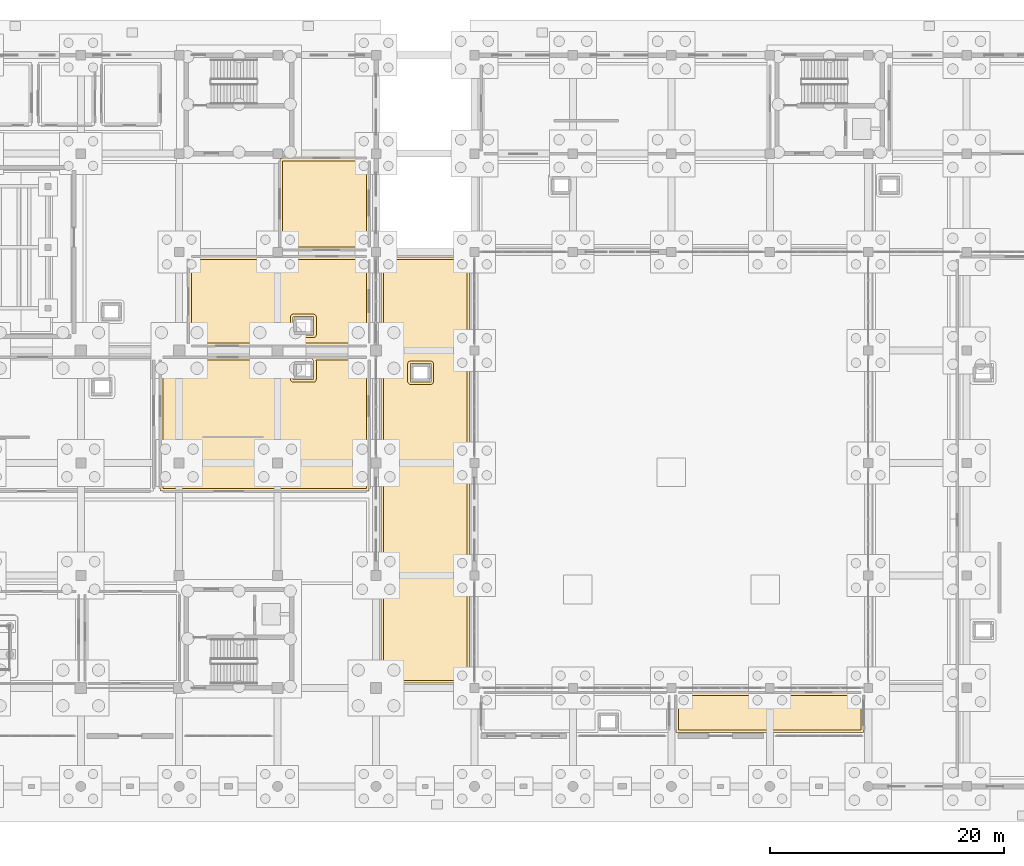
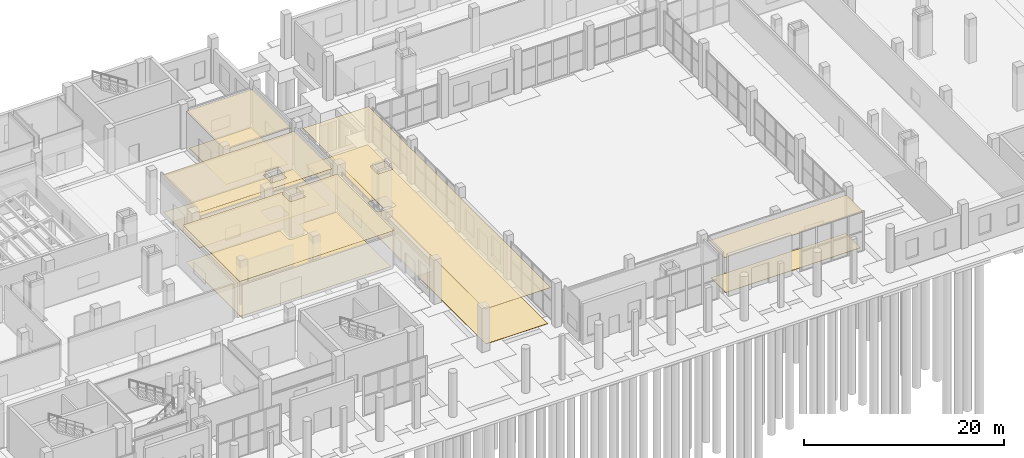
# One storey, part 56 of 65: 10 coverings.
"""IFC4 building model written with IfcOpenShell, lengths in metres."""

from ifc_helpers import new_model, si_unit, direction, frame, origin, place, context, subcontext, project, spatial, polyline, outline, extrude, material, layer, layer_set, type_object, element, save


model = new_model("IFC4")

# Units and contexts
model_context = context("Model", 3, precision=1e-05, world=origin(), true_north=direction((0.0, 1.0)))
body_context = subcontext(model_context, "Body", "Model", "MODEL_VIEW")
ifc_project = project(units=[si_unit("LENGTHUNIT", "METRE"), si_unit("AREAUNIT", "SQUARE_METRE"), si_unit("VOLUMEUNIT", "CUBIC_METRE"), si_unit("PLANEANGLEUNIT", "RADIAN"), si_unit("MASSUNIT", "GRAM", prefix="KILO")], contexts=[model_context])

# Site, building, storey
site_placement = place(None, origin())
site = spatial("IfcSite", under=ifc_project, at=site_placement, CompositionType="ELEMENT")
building_placement = place(site_placement, origin())
building = spatial("IfcBuilding", under=site, at=building_placement, Name="Zulmaris Art Gallery", CompositionType="ELEMENT")
storey_placement = place(building_placement, origin())
storey = spatial("IfcBuildingStorey", under=building, at=storey_placement, Name="L00", CompositionType="ELEMENT", Elevation=0.0)

# Coverings
ifc_material_1 = material(Name="Micro-Perforated Gypsum Acoustic Ceiling", Category="gypsum")
ifc_layer_1 = layer(ifc_material_1, 0.02490234375)
ifc_layer_set_1 = layer_set([ifc_layer_1], Name="Micro-Perforated Gypsum Acoustic Ceiling")
covering_type_1 = type_object("IfcCoveringType", Name="COV-CL01", PredefinedType="CEILING", material=ifc_layer_set_1)
covering_1_placement = place(storey_placement, frame((0.0, 0.0, 4.449951171875)))
element("IfcCovering", 1, at=covering_1_placement, inside=storey, type_object=covering_type_1, Name="Youth Art Learning Workshop acoustic ceiling", PredefinedType="CEILING", context=body_context, shape_type="SweptSolid", body=[
    extrude(outline(polyline([(66.81005859375, 58.389892578125), (82.18994140625, 58.389892578125), (82.18994140625, 50.81005859375), (66.81005859375, 50.81005859375), (66.81005859375, 58.389892578125)]), holes=[polyline([(75.741455078125, 53.278564453125), (75.738525390625, 53.277587890625), (75.736083984375, 53.276123046875), (75.7333984375, 53.274658203125), (75.731201171875, 53.27294921875), (75.72900390625, 53.27099609375), (75.72705078125, 53.268798828125), (75.725341796875, 53.2666015625), (75.723876953125, 53.263916015625), (75.722412109375, 53.261474609375), (75.721435546875, 53.258544921875), (75.720703125, 53.255859375), (75.720458984375, 53.2529296875), (75.719970703125, 53.24462890625), (75.719970703125, 51.75537109375), (75.720458984375, 51.7470703125), (75.720703125, 51.744140625), (75.721435546875, 51.741455078125), (75.722412109375, 51.738525390625), (75.723876953125, 51.736083984375), (75.725341796875, 51.7333984375), (75.72705078125, 51.731201171875), (75.72900390625, 51.72900390625), (75.731201171875, 51.72705078125), (75.7333984375, 51.725341796875), (75.736083984375, 51.723876953125), (75.738525390625, 51.722412109375), (75.741455078125, 51.721435546875), (75.744140625, 51.720703125), (75.7470703125, 51.720458984375), (75.75537109375, 51.719970703125), (77.444580078125, 51.719970703125), (77.452880859375, 51.720458984375), (77.455810546875, 51.720703125), (77.45849609375, 51.721435546875), (77.46142578125, 51.722412109375), (77.464111328125, 51.723876953125), (77.466552734375, 51.725341796875), (77.468994140625, 51.72705078125), (77.470947265625, 51.72900390625), (77.472900390625, 51.731201171875), (77.474609375, 51.7333984375), (77.476318359375, 51.736083984375), (77.4775390625, 51.738525390625), (77.478515625, 51.741455078125), (77.479248046875, 51.744140625), (77.4794921875, 51.7470703125), (77.47998046875, 51.75537109375), (77.47998046875, 53.24462890625), (77.4794921875, 53.2529296875), (77.479248046875, 53.255859375), (77.478515625, 53.258544921875), (77.4775390625, 53.261474609375), (77.476318359375, 53.263916015625), (77.474609375, 53.2666015625), (77.472900390625, 53.268798828125), (77.470947265625, 53.27099609375), (77.468994140625, 53.27294921875), (77.466552734375, 53.274658203125), (77.464111328125, 53.276123046875), (77.46142578125, 53.277587890625), (77.45849609375, 53.278564453125), (77.455810546875, 53.279296875), (77.452880859375, 53.279541015625), (77.444580078125, 53.280029296875), (75.75537109375, 53.280029296875), (75.7470703125, 53.279541015625), (75.744140625, 53.279296875), (75.741455078125, 53.278564453125)])]), origin(), (0.0, 0.0, 1.0), 0.030029296875),
])
covering_2_placement = place(storey_placement, frame((0.0, 0.0, 4.449951171875)))
element("IfcCovering", 2, at=covering_2_placement, inside=storey, type_object=covering_type_1, Name="Community Ceramics & Print Studio acoustic ceiling", PredefinedType="CEILING", context=body_context, shape_type="SweptSolid", body=[
    extrude(outline(polyline([(74.610107421875, 66.7900390625), (82.18994140625, 66.7900390625), (82.18994140625, 59.010009765625), (74.610107421875, 59.010009765625), (74.610107421875, 66.7900390625)])), origin(), (0.0, 0.0, 1.0), 0.030029296875),
])
ifc_material_2 = material(Name="Luminous UV-Diffusing Stretched Gallery Ceiling", Category="gypsum")
ifc_layer_2 = layer(ifc_material_2, 0.034912109375)
ifc_layer_set_2 = layer_set([ifc_layer_2], Name="Luminous UV-Diffusing Stretched Gallery Ceiling")
covering_type_2 = type_object("IfcCoveringType", Name="COV-CL02", PredefinedType="CEILING", material=ifc_layer_set_2)
covering_3_placement = place(storey_placement, frame((0.0, 0.0, 4.449951171875)))
element("IfcCovering", 3, at=covering_3_placement, inside=storey, type_object=covering_type_2, Name="Sculpture Court Pavilion Gallery acoustic ceiling", PredefinedType="CEILING", context=body_context, shape_type="SweptSolid", body=[
    extrude(outline(polyline([(83.2099609375, 58.389892578125), (90.7900390625, 58.389892578125), (90.7900390625, 22.010009765625), (83.2099609375, 22.010009765625), (83.2099609375, 58.389892578125)]), holes=[polyline([(85.741455078125, 49.278564453125), (85.738525390625, 49.277587890625), (85.736083984375, 49.276123046875), (85.7333984375, 49.274658203125), (85.731201171875, 49.27294921875), (85.72900390625, 49.27099609375), (85.72705078125, 49.268798828125), (85.725341796875, 49.2666015625), (85.723876953125, 49.263916015625), (85.722412109375, 49.261474609375), (85.721435546875, 49.258544921875), (85.720703125, 49.255859375), (85.720458984375, 49.2529296875), (85.719970703125, 49.24462890625), (85.719970703125, 47.75537109375), (85.720458984375, 47.7470703125), (85.720703125, 47.744140625), (85.721435546875, 47.741455078125), (85.722412109375, 47.738525390625), (85.723876953125, 47.736083984375), (85.725341796875, 47.7333984375), (85.72705078125, 47.731201171875), (85.72900390625, 47.72900390625), (85.731201171875, 47.72705078125), (85.7333984375, 47.725341796875), (85.736083984375, 47.723876953125), (85.738525390625, 47.722412109375), (85.741455078125, 47.721435546875), (85.744140625, 47.720703125), (85.7470703125, 47.720458984375), (85.75537109375, 47.719970703125), (87.444580078125, 47.719970703125), (87.452880859375, 47.720458984375), (87.455810546875, 47.720703125), (87.45849609375, 47.721435546875), (87.46142578125, 47.722412109375), (87.464111328125, 47.723876953125), (87.466552734375, 47.725341796875), (87.468994140625, 47.72705078125), (87.470947265625, 47.72900390625), (87.472900390625, 47.731201171875), (87.474609375, 47.7333984375), (87.476318359375, 47.736083984375), (87.4775390625, 47.738525390625), (87.478515625, 47.741455078125), (87.479248046875, 47.744140625), (87.4794921875, 47.7470703125), (87.47998046875, 47.75537109375), (87.47998046875, 49.24462890625), (87.4794921875, 49.2529296875), (87.479248046875, 49.255859375), (87.478515625, 49.258544921875), (87.4775390625, 49.261474609375), (87.476318359375, 49.263916015625), (87.474609375, 49.2666015625), (87.472900390625, 49.268798828125), (87.470947265625, 49.27099609375), (87.468994140625, 49.27294921875), (87.466552734375, 49.274658203125), (87.464111328125, 49.276123046875), (87.46142578125, 49.277587890625), (87.45849609375, 49.278564453125), (87.455810546875, 49.279296875), (87.452880859375, 49.279541015625), (87.444580078125, 49.280029296875), (85.75537109375, 49.280029296875), (85.7470703125, 49.279541015625), (85.744140625, 49.279296875), (85.741455078125, 49.278564453125)])]), origin(), (0.0, 0.0, 1.0), 0.030029296875),
])
covering_4_placement = place(storey_placement, frame((0.0, 0.0, 4.449951171875)))
element("IfcCovering", 4, at=covering_4_placement, inside=storey, type_object=covering_type_2, Name="Sculpture Court South Cloister acoustic ceiling", PredefinedType="CEILING", context=body_context, shape_type="SweptSolid", body=[
    extrude(outline(polyline([(108.409912109375, 21.18994140625), (124.389892578125, 21.18994140625), (124.389892578125, 17.81005859375), (108.409912109375, 17.81005859375), (108.409912109375, 21.18994140625)])), origin(), (0.0, 0.0, 1.0), 0.030029296875),
])
covering_5_placement = place(storey_placement, frame((0.0, 0.0, 4.449951171875)))
element("IfcCovering", 5, at=covering_5_placement, inside=storey, type_object=covering_type_2, Name="Introductory Exhibition Gallery acoustic ceiling", PredefinedType="CEILING", context=body_context, shape_type="SweptSolid", body=[
    extrude(outline(polyline([(75.721435546875, 49.45849609375), (75.720703125, 49.455810546875), (75.720458984375, 49.452880859375), (75.719970703125, 49.444580078125), (75.719970703125, 47.955322265625), (75.720458984375, 47.947021484375), (75.720703125, 47.944091796875), (75.721435546875, 47.94140625), (75.722412109375, 47.938720703125), (75.723876953125, 47.93603515625), (75.725341796875, 47.93359375), (75.72705078125, 47.93115234375), (75.72900390625, 47.928955078125), (75.731201171875, 47.927001953125), (75.7333984375, 47.92529296875), (75.736083984375, 47.923828125), (75.738525390625, 47.922607421875), (75.741455078125, 47.92138671875), (75.744140625, 47.9208984375), (75.7470703125, 47.92041015625), (75.75537109375, 47.919921875), (77.444580078125, 47.919921875), (77.452880859375, 47.92041015625), (77.455810546875, 47.9208984375), (77.45849609375, 47.92138671875), (77.46142578125, 47.922607421875), (77.464111328125, 47.923828125), (77.466552734375, 47.92529296875), (77.468994140625, 47.927001953125), (77.470947265625, 47.928955078125), (77.472900390625, 47.93115234375), (77.474609375, 47.93359375), (77.476318359375, 47.93603515625), (77.4775390625, 47.938720703125), (77.478515625, 47.94140625), (77.479248046875, 47.944091796875), (77.4794921875, 47.947021484375), (77.47998046875, 47.955322265625), (77.47998046875, 49.444580078125), (77.4794921875, 49.452880859375), (77.479248046875, 49.455810546875), (77.478515625, 49.45849609375), (77.4775390625, 49.46142578125), (77.476318359375, 49.464111328125), (77.28076171875, 49.7900390625), (82.18994140625, 49.7900390625), (82.18994140625, 38.409912109375), (64.409912109375, 38.409912109375), (64.409912109375, 49.7900390625), (75.919189453125, 49.7900390625), (75.723876953125, 49.464111328125), (75.722412109375, 49.46142578125), (75.721435546875, 49.45849609375)])), origin(), (0.0, 0.0, 1.0), 0.030029296875),
])
ifc_material_3 = material(Name="Honed Omani Limestone Terrazzo Flooring", Category="masonry")
ifc_layer_3 = layer(ifc_material_3, 0.0400390625)
ifc_layer_set_3 = layer_set([ifc_layer_3], Name="Honed Omani Limestone Terrazzo Flooring")
covering_type_3 = type_object("IfcCoveringType", Name="COV-FL01", PredefinedType="FLOORING", material=ifc_layer_set_3)
covering_6_placement = place(storey_placement, origin())
element("IfcCovering", 6, at=covering_6_placement, inside=storey, type_object=covering_type_3, Name="Youth Art Learning Workshop finish flooring", PredefinedType="FLOORING", context=body_context, shape_type="SweptSolid", body=[
    extrude(outline(polyline([(81.969970703125, 51.030029296875), (67.030029296875, 51.030029296875), (67.030029296875, 58.169921875), (81.969970703125, 58.169921875), (81.969970703125, 51.030029296875)]), holes=[polyline([(75.7255859375, 53.498779296875), (75.701171875, 53.4951171875), (75.677490234375, 53.4892578125), (75.654296875, 53.48095703125), (75.632080078125, 53.470458984375), (75.611083984375, 53.4580078125), (75.59130859375, 53.443359375), (75.5732421875, 53.4267578125), (75.556640625, 53.40869140625), (75.5419921875, 53.388916015625), (75.529541015625, 53.367919921875), (75.51904296875, 53.345703125), (75.5107421875, 53.322509765625), (75.5048828125, 53.298828125), (75.501220703125, 53.2744140625), (75.5, 53.25), (75.5, 51.75), (75.501220703125, 51.7255859375), (75.5048828125, 51.701171875), (75.5107421875, 51.677490234375), (75.51904296875, 51.654296875), (75.529541015625, 51.632080078125), (75.5419921875, 51.611083984375), (75.556640625, 51.59130859375), (75.5732421875, 51.5732421875), (75.59130859375, 51.556640625), (75.611083984375, 51.5419921875), (75.632080078125, 51.529541015625), (75.654296875, 51.51904296875), (75.677490234375, 51.5107421875), (75.701171875, 51.5048828125), (75.7255859375, 51.501220703125), (75.75, 51.5), (77.449951171875, 51.5), (77.474609375, 51.501220703125), (77.498779296875, 51.5048828125), (77.522705078125, 51.5107421875), (77.545654296875, 51.51904296875), (77.56787109375, 51.529541015625), (77.5888671875, 51.5419921875), (77.608642578125, 51.556640625), (77.626708984375, 51.5732421875), (77.643310546875, 51.59130859375), (77.657958984375, 51.611083984375), (77.67041015625, 51.632080078125), (77.680908203125, 51.654296875), (77.689208984375, 51.677490234375), (77.6953125, 51.701171875), (77.69873046875, 51.7255859375), (77.699951171875, 51.75), (77.699951171875, 53.25), (77.69873046875, 53.2744140625), (77.6953125, 53.298828125), (77.689208984375, 53.322509765625), (77.680908203125, 53.345703125), (77.67041015625, 53.367919921875), (77.657958984375, 53.388916015625), (77.643310546875, 53.40869140625), (77.626708984375, 53.4267578125), (77.608642578125, 53.443359375), (77.5888671875, 53.4580078125), (77.56787109375, 53.470458984375), (77.545654296875, 53.48095703125), (77.522705078125, 53.4892578125), (77.498779296875, 53.4951171875), (77.474609375, 53.498779296875), (77.449951171875, 53.5), (75.75, 53.5), (75.7255859375, 53.498779296875)])]), origin(), (0.0, 0.0, 1.0), 0.034912109375),
])
covering_7_placement = place(storey_placement, origin())
element("IfcCovering", 7, at=covering_7_placement, inside=storey, type_object=covering_type_3, Name="Community Ceramics & Print Studio finish flooring", PredefinedType="FLOORING", context=body_context, shape_type="SweptSolid", body=[
    extrude(outline(polyline([(81.969970703125, 59.22998046875), (74.830078125, 59.22998046875), (74.830078125, 66.570068359375), (81.969970703125, 66.570068359375), (81.969970703125, 59.22998046875)])), origin(), (0.0, 0.0, 1.0), 0.034912109375),
])
ifc_material_4 = material(Name="Oiled European Oak Gallery Parquet Flooring", Category="timber")
ifc_layer_4 = layer(ifc_material_4, 0.030029296875)
ifc_layer_set_4 = layer_set([ifc_layer_4], Name="Oiled European Oak Gallery Parquet Flooring")
covering_type_4 = type_object("IfcCoveringType", Name="COV-FL02", PredefinedType="FLOORING", material=ifc_layer_set_4)
covering_8_placement = place(storey_placement, origin())
element("IfcCovering", 8, at=covering_8_placement, inside=storey, type_object=covering_type_4, Name="Sculpture Court Pavilion Gallery finish flooring", PredefinedType="FLOORING", context=body_context, shape_type="SweptSolid", body=[
    extrude(outline(polyline([(90.570068359375, 22.22998046875), (83.429931640625, 22.22998046875), (83.429931640625, 58.169921875), (90.570068359375, 58.169921875), (90.570068359375, 22.22998046875)]), holes=[polyline([(85.7255859375, 49.498779296875), (85.701171875, 49.4951171875), (85.677490234375, 49.4892578125), (85.654296875, 49.48095703125), (85.632080078125, 49.470458984375), (85.611083984375, 49.4580078125), (85.59130859375, 49.443359375), (85.5732421875, 49.4267578125), (85.556640625, 49.40869140625), (85.5419921875, 49.388916015625), (85.529541015625, 49.367919921875), (85.51904296875, 49.345703125), (85.5107421875, 49.322509765625), (85.5048828125, 49.298828125), (85.501220703125, 49.2744140625), (85.5, 49.25), (85.5, 47.75), (85.501220703125, 47.7255859375), (85.5048828125, 47.701171875), (85.5107421875, 47.677490234375), (85.51904296875, 47.654296875), (85.529541015625, 47.632080078125), (85.5419921875, 47.611083984375), (85.556640625, 47.59130859375), (85.5732421875, 47.5732421875), (85.59130859375, 47.556640625), (85.611083984375, 47.5419921875), (85.632080078125, 47.529541015625), (85.654296875, 47.51904296875), (85.677490234375, 47.5107421875), (85.701171875, 47.5048828125), (85.7255859375, 47.501220703125), (85.75, 47.5), (87.449951171875, 47.5), (87.474609375, 47.501220703125), (87.498779296875, 47.5048828125), (87.522705078125, 47.5107421875), (87.545654296875, 47.51904296875), (87.56787109375, 47.529541015625), (87.5888671875, 47.5419921875), (87.608642578125, 47.556640625), (87.626708984375, 47.5732421875), (87.643310546875, 47.59130859375), (87.657958984375, 47.611083984375), (87.67041015625, 47.632080078125), (87.680908203125, 47.654296875), (87.689208984375, 47.677490234375), (87.6953125, 47.701171875), (87.69873046875, 47.7255859375), (87.699951171875, 47.75), (87.699951171875, 49.25), (87.69873046875, 49.2744140625), (87.6953125, 49.298828125), (87.689208984375, 49.322509765625), (87.680908203125, 49.345703125), (87.67041015625, 49.367919921875), (87.657958984375, 49.388916015625), (87.643310546875, 49.40869140625), (87.626708984375, 49.4267578125), (87.608642578125, 49.443359375), (87.5888671875, 49.4580078125), (87.56787109375, 49.470458984375), (87.545654296875, 49.48095703125), (87.522705078125, 49.4892578125), (87.498779296875, 49.4951171875), (87.474609375, 49.498779296875), (87.449951171875, 49.5), (85.75, 49.5), (85.7255859375, 49.498779296875)])]), origin(), (0.0, 0.0, 1.0), 0.034912109375),
])
covering_9_placement = place(storey_placement, origin())
element("IfcCovering", 9, at=covering_9_placement, inside=storey, type_object=covering_type_4, Name="Sculpture Court South Cloister finish flooring", PredefinedType="FLOORING", context=body_context, shape_type="SweptSolid", body=[
    extrude(outline(polyline([(124.169921875, 18.030029296875), (108.6298828125, 18.030029296875), (108.6298828125, 20.969970703125), (124.169921875, 20.969970703125), (124.169921875, 18.030029296875)])), origin(), (0.0, 0.0, 1.0), 0.034912109375),
])
covering_10_placement = place(storey_placement, origin())
element("IfcCovering", 10, at=covering_10_placement, inside=storey, type_object=covering_type_4, Name="Introductory Exhibition Gallery finish flooring", PredefinedType="FLOORING", context=body_context, shape_type="SweptSolid", body=[
    extrude(outline(polyline([(75.529541015625, 49.56787109375), (75.51904296875, 49.545654296875), (75.5107421875, 49.522705078125), (75.5048828125, 49.498779296875), (75.501220703125, 49.474609375), (75.5, 49.449951171875), (75.5, 47.949951171875), (75.501220703125, 47.925537109375), (75.5048828125, 47.901123046875), (75.5107421875, 47.87744140625), (75.51904296875, 47.854248046875), (75.529541015625, 47.832275390625), (75.5419921875, 47.81103515625), (75.556640625, 47.79150390625), (75.5732421875, 47.773193359375), (75.59130859375, 47.756591796875), (75.611083984375, 47.7421875), (75.632080078125, 47.7294921875), (75.654296875, 47.718994140625), (75.677490234375, 47.710693359375), (75.701171875, 47.704833984375), (75.7255859375, 47.701171875), (75.75, 47.699951171875), (77.449951171875, 47.699951171875), (77.474609375, 47.701171875), (77.498779296875, 47.704833984375), (77.522705078125, 47.710693359375), (77.545654296875, 47.718994140625), (77.56787109375, 47.7294921875), (77.5888671875, 47.7421875), (77.608642578125, 47.756591796875), (77.626708984375, 47.773193359375), (77.643310546875, 47.79150390625), (77.657958984375, 47.81103515625), (77.67041015625, 47.832275390625), (77.680908203125, 47.854248046875), (77.689208984375, 47.87744140625), (77.6953125, 47.901123046875), (77.69873046875, 47.925537109375), (77.699951171875, 47.949951171875), (77.699951171875, 49.449951171875), (77.69873046875, 49.474609375), (77.6953125, 49.498779296875), (77.689208984375, 49.522705078125), (77.680908203125, 49.545654296875), (77.67041015625, 49.56787109375), (77.669189453125, 49.570068359375), (81.969970703125, 49.570068359375), (81.969970703125, 38.6298828125), (64.6298828125, 38.6298828125), (64.6298828125, 49.570068359375), (75.53076171875, 49.570068359375), (75.529541015625, 49.56787109375)])), origin(), (0.0, 0.0, 1.0), 0.034912109375),
])

save(model, "model.ifc")
